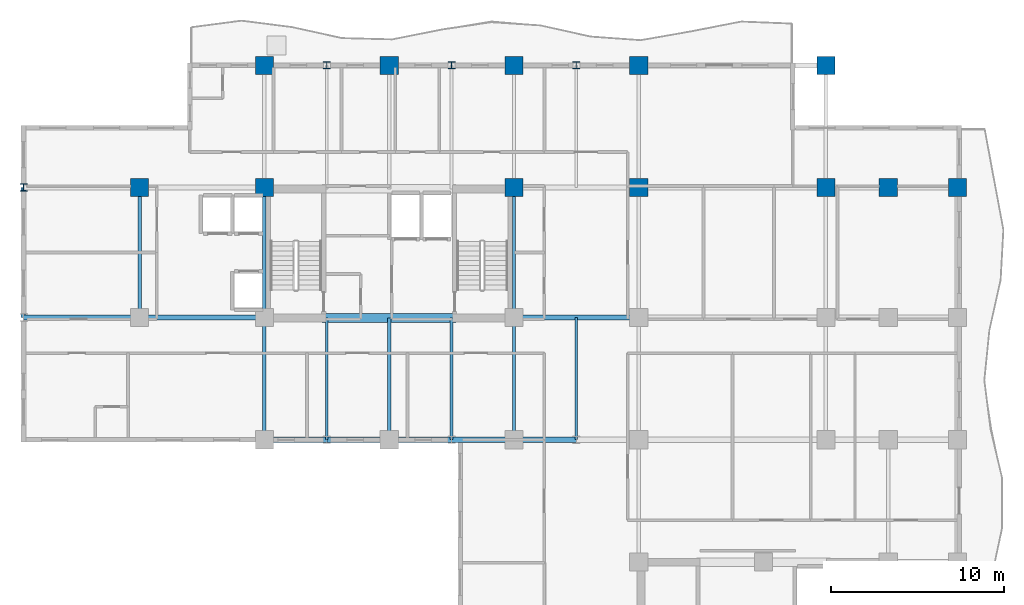
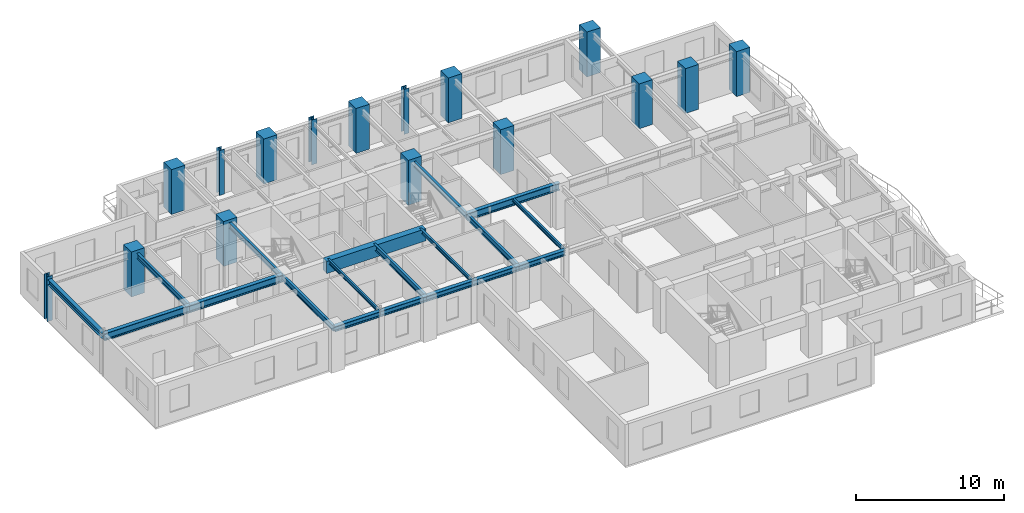
# One storey, part 2 of 13: 19 beams, 16 columns.
"""IFC4 building model written with IfcOpenShell, lengths in metres."""

from ifc_helpers import new_model, si_unit, direction, frame, origin, origin_2d, place, context, subcontext, project, spatial, rectangle, i_section, extrude, source, transform, mapped, material, material_profile, profile_set, type_object, element, save


model = new_model("IFC4")

# Units and contexts
model_context = context("Model", 3, precision=1e-05, world=origin(), true_north=direction((0.0, 1.0)))
body_context = subcontext(model_context, "Body", "Model", "MODEL_VIEW")
ifc_project = project(units=[si_unit("LENGTHUNIT", "METRE"), si_unit("AREAUNIT", "SQUARE_METRE"), si_unit("VOLUMEUNIT", "CUBIC_METRE"), si_unit("PLANEANGLEUNIT", "RADIAN"), si_unit("MASSUNIT", "GRAM", prefix="KILO")], contexts=[model_context])

# Site, building, storey
site_placement = place(None, origin())
site = spatial("IfcSite", under=ifc_project, at=site_placement, CompositionType="ELEMENT")
building_placement = place(site_placement, origin())
building = spatial("IfcBuilding", under=site, at=building_placement, Name="Kaliganga Portal Commons", CompositionType="ELEMENT")
storey_placement = place(building_placement, frame((0.0, 0.0, 177.199951171875)))
storey = spatial("IfcBuildingStorey", under=building, at=storey_placement, Name="L45", CompositionType="ELEMENT", Elevation=177.199951171875)

# Columns
ifc_material_1 = material(Name="Concrete C60/75", Category="concrete")
ifc_material_profile_1 = material_profile(ifc_material_1, rectangle(XDim=1.050048828125, YDim=1.050048828125, at=origin_2d()), Name="RC 1050x1050")
ifc_profile_set_1 = profile_set([ifc_material_profile_1], Name="Concrete C60/75")
column_type_1 = type_object("IfcColumnType", Name="COL-MEGA-Z3", PredefinedType="COLUMN", material=ifc_profile_set_1)
shared_shape_1 = source(origin(), body_context, "Body", "SweptSolid", [
    extrude(rectangle(XDim=1.050048828125, YDim=1.050048828125, at=origin_2d()), origin(), (0.0, 0.0, 1.0), 3.699951171875),
])
for number, where, z_axis, x_axis, name in (
    (1, (7.199951171875, 36.14990234375, 0.0), (0.0, 0.0, 1.0), (1.0, 0.0, 0.0), "Column MC-04 L45"),
    (2, (14.39990234375, 36.14990234375, 0.0), (0.0, 0.0, 1.0), (1.0, 0.0, 0.0), "Column MC-04 L45"),
    (3, (14.39990234375, 43.199951171875, 0.0), (0.0, 0.0, 1.0), (1.0, 0.0, 0.0), "Column MC-04 L45"),
    (4, (21.60009765625, 43.199951171875, 0.0), (0.0, 0.0, 1.0), (1.0, 0.0, 0.0), "Column MC-04 L45"),
    (5, (28.800048828125, 36.14990234375, 0.0), (0.0, 0.0, 1.0), (1.0, 0.0, 0.0), "Column MC-04 L45"),
    (6, (28.800048828125, 43.199951171875, 0.0), (0.0, 0.0, 1.0), (1.0, 0.0, 0.0), "Column MC-04 L45"),
    (7, (36.0, 43.199951171875, 0.0), (0.0, 0.0, 1.0), (1.0, 0.0, 0.0), "Column MC-04 L45"),
    (8, (36.0, 36.14990234375, 0.0), (0.0, 0.0, 1.0), (1.0, 0.0, 0.0), "Column MC-04 L45"),
    (9, (46.800048828125, 36.14990234375, 0.0), (0.0, 0.0, 1.0), (1.0, 0.0, 0.0), "Column MC-04 L45"),
    (10, (46.800048828125, 43.199951171875, 0.0), (0.0, 0.0, 1.0), (1.0, 0.0, 0.0), "Column MC-04 L45"),
    (11, (50.39990234375, 36.14990234375, 0.0), (0.0, 0.0, 1.0), (1.0, 0.0, 0.0), "Column MC-04 L45"),
    (12, (54.39990234375, 36.14990234375, 0.0), (0.0, 0.0, 1.0), (1.0, 0.0, 0.0), "Column MC-04 L45"),
):
    element("IfcColumn", number, at=place(storey_placement, frame(where, z_axis=z_axis, x_axis=x_axis)), inside=storey, type_object=column_type_1, Name=name, PredefinedType="COLUMN", context=body_context, shape_type="MappedRepresentation", body=[
        mapped(shared_shape_1, transform((0.0, 0.0, 0.0), x_axis=(1.0, 0.0, 0.0), y_axis=(0.0, 1.0, 0.0), z_axis=(0.0, 0.0, 1.0), scale=1.0)),
    ])
ifc_material_2 = material(Name="Structural steel S460M", Category="steel")
ifc_material_profile_2 = material_profile(ifc_material_2, i_section(OverallWidth=0.404052734375, OverallDepth=0.4140625, WebThickness=0.0205078125, FlangeThickness=0.028076171875, FilletRadius=0.014892578125, at=origin_2d()), Name="HD 400x347")
ifc_profile_set_2 = profile_set([ifc_material_profile_2], Name="Structural steel S460M wide-flange")
column_type_2 = type_object("IfcColumnType", Name="COL-TUBE-B3", PredefinedType="COLUMN", material=ifc_profile_set_2)
shared_shape_2 = source(origin(), body_context, "Body", "SweptSolid", [
    extrude(i_section(OverallWidth=0.404052734375, OverallDepth=0.4140625, WebThickness=0.0205078125, FlangeThickness=0.028076171875, FilletRadius=0.014892578125, at=origin_2d()), origin(), (0.0, 0.0, 1.0), 3.699951171875),
])
for number, where, z_axis, x_axis, name in (
    (13, (0.5, 36.14990234375, 0.0), (0.0, 0.0, 1.0), (1.0, 0.0, 0.0), "Column TC-03 L45"),
    (14, (18.0, 43.199951171875, 0.0), (0.0, 0.0, 1.0), (1.0, 0.0, 0.0), "Column TC-03 L45"),
    (15, (25.199951171875, 43.199951171875, 0.0), (0.0, 0.0, 1.0), (1.0, 0.0, 0.0), "Column TC-03 L45"),
    (16, (32.39990234375, 43.199951171875, 0.0), (0.0, 0.0, 1.0), (1.0, 0.0, 0.0), "Column TC-03 L45"),
):
    element("IfcColumn", number, at=place(storey_placement, frame(where, z_axis=z_axis, x_axis=x_axis)), inside=storey, type_object=column_type_2, Name=name, PredefinedType="COLUMN", context=body_context, shape_type="MappedRepresentation", body=[
        mapped(shared_shape_2, transform((0.0, 0.0, 0.0), x_axis=(1.0, 0.0, 0.0), y_axis=(0.0, 1.0, 0.0), z_axis=(0.0, 0.0, 1.0), scale=1.0)),
    ])

# Beams
ifc_material_3 = material(Name="Concrete C50/60", Category="concrete")
ifc_material_profile_3 = material_profile(ifc_material_3, rectangle(XDim=0.5, YDim=1.0, at=origin_2d()), Name="RC 500x1000")
ifc_profile_set_3 = profile_set([ifc_material_profile_3], Name="Concrete C50/60")
beam_type_1 = type_object("IfcBeamType", Name="BM-CPL-1000", PredefinedType="LINTEL", material=ifc_profile_set_3)
shared_shape_3 = source(origin(), body_context, "Body", "SweptSolid", [
    extrude(rectangle(XDim=0.5, YDim=1.0, at=origin_2d()), origin(), (0.0, 0.0, 1.0), 7.739990234375),
])
beam_1_placement = place(storey_placement, frame((17.72998046875, 28.625, 2.9599609375), z_axis=(1.0, 0.0, 0.0), x_axis=(0.0, 1.0, 0.0)))
element("IfcBeam", 17, at=beam_1_placement, inside=storey, type_object=beam_type_1, Name="BM CPL COREA L45 S", PredefinedType="LINTEL", context=body_context, shape_type="MappedRepresentation", body=[
    mapped(shared_shape_3, transform((0.0, 0.0, 0.0), x_axis=(1.0, 0.0, 0.0), y_axis=(0.0, 1.0, 0.0), z_axis=(0.0, 0.0, 1.0), scale=1.0)),
])
ifc_material_4 = material(Name="Structural steel S355J2", Category="steel")
ifc_material_profile_4 = material_profile(ifc_material_4, i_section(OverallWidth=0.300048828125, OverallDepth=0.449951171875, WebThickness=0.013916015625, FlangeThickness=0.02587890625, FilletRadius=0.027099609375, at=origin_2d()), Name="HE 450 B")
ifc_profile_set_4 = profile_set([ifc_material_profile_4], Name="Structural steel S355J2 wide-flange")
beam_type_2 = type_object("IfcBeamType", Name="BM-SPAND-450", PredefinedType="SPANDREL", material=ifc_profile_set_4)
shared_shape_4 = source(origin(), body_context, "Body", "SweptSolid", [
    extrude(i_section(OverallWidth=0.300048828125, OverallDepth=0.449951171875, WebThickness=0.013916015625, FlangeThickness=0.02587890625, FilletRadius=0.027099609375, at=origin_2d()), origin(), (0.0, 0.0, 1.0), 3.60009765625),
])
for number, where, z_axis, x_axis, name in (
    (18, (14.39990234375, 21.60009765625, 3.235107421875), (1.0, 0.0, 0.0), (0.0, 1.0, 0.0), "BM SP L45 AS 1"),
    (19, (18.0, 21.60009765625, 3.235107421875), (1.0, 0.0, 0.0), (0.0, 1.0, 0.0), "BM SP L45 AS 2"),
    (20, (25.199951171875, 21.60009765625, 3.235107421875), (1.0, 0.0, 0.0), (0.0, 1.0, 0.0), "BM SP L45 AS 4"),
):
    element("IfcBeam", number, at=place(storey_placement, frame(where, z_axis=z_axis, x_axis=x_axis)), inside=storey, type_object=beam_type_2, Name=name, PredefinedType="SPANDREL", context=body_context, shape_type="MappedRepresentation", body=[
        mapped(shared_shape_4, transform((0.0, 0.0, 0.0), x_axis=(1.0, 0.0, 0.0), y_axis=(0.0, 1.0, 0.0), z_axis=(0.0, 0.0, 1.0), scale=1.0)),
    ])
shared_shape_5 = source(origin(), body_context, "Body", "SweptSolid", [
    extrude(i_section(OverallWidth=0.300048828125, OverallDepth=0.449951171875, WebThickness=0.013916015625, FlangeThickness=0.02587890625, FilletRadius=0.027099609375, at=origin_2d()), origin(), (0.0, 0.0, 1.0), 3.599853515625),
])
for number, where, z_axis, x_axis, name in (
    (21, (21.60009765625, 21.60009765625, 3.235107421875), (1.0, 0.0, 0.0), (0.0, 1.0, 0.0), "BM SP L45 AS 3"),
    (22, (28.800048828125, 21.60009765625, 3.235107421875), (1.0, 0.0, 0.0), (0.0, 1.0, 0.0), "BM SP L45 AS 5"),
):
    element("IfcBeam", number, at=place(storey_placement, frame(where, z_axis=z_axis, x_axis=x_axis)), inside=storey, type_object=beam_type_2, Name=name, PredefinedType="SPANDREL", context=body_context, shape_type="MappedRepresentation", body=[
        mapped(shared_shape_5, transform((0.0, 0.0, 0.0), x_axis=(1.0, 0.0, 0.0), y_axis=(0.0, 1.0, 0.0), z_axis=(0.0, 0.0, 1.0), scale=1.0)),
    ])
shared_shape_6 = source(origin(), body_context, "Body", "SweptSolid", [
    extrude(i_section(OverallWidth=0.300048828125, OverallDepth=0.449951171875, WebThickness=0.013916015625, FlangeThickness=0.02587890625, FilletRadius=0.027099609375, at=origin_2d()), origin(), (0.0, 0.0, 1.0), 7.5),
])
beam_2_placement = place(storey_placement, frame((0.5, 28.64990234375, 3.235107421875), z_axis=(0.0, 1.0, 0.0), x_axis=(-1.0, 0.0, 0.0)))
element("IfcBeam", 23, at=beam_2_placement, inside=storey, type_object=beam_type_2, Name="BM SP L45 AW", PredefinedType="SPANDREL", context=body_context, shape_type="MappedRepresentation", body=[
    mapped(shared_shape_6, transform((0.0, 0.0, 0.0), x_axis=(1.0, 0.0, 0.0), y_axis=(0.0, 1.0, 0.0), z_axis=(0.0, 0.0, 1.0), scale=1.0)),
])
ifc_material_profile_5 = material_profile(ifc_material_4, i_section(OverallWidth=0.300048828125, OverallDepth=0.60009765625, WebThickness=0.015380859375, FlangeThickness=0.030029296875, FilletRadius=0.027099609375, at=origin_2d()), Name="HE 600 B")
ifc_profile_set_5 = profile_set([ifc_material_profile_5], Name="Structural steel S355J2 wide-flange")
beam_type_3 = type_object("IfcBeamType", Name="BM-GIRD-600", PredefinedType="USERDEFINED", material=ifc_profile_set_5)
shared_shape_7 = source(origin(), body_context, "Body", "SweptSolid", [
    extrude(i_section(OverallWidth=0.300048828125, OverallDepth=0.60009765625, WebThickness=0.015380859375, FlangeThickness=0.030029296875, FilletRadius=0.027099609375, at=origin_2d()), origin(), (0.0, 0.0, 1.0), 6.699951171875),
])
beam_3_placement = place(storey_placement, frame((0.5, 28.64990234375, 3.16015625), z_axis=(1.0, 0.0, 0.0), x_axis=(0.0, 1.0, 0.0)))
element("IfcBeam", 24, at=beam_3_placement, inside=storey, type_object=beam_type_3, Name="BM G L45 WAH_S 1", ObjectType="GIRDER", PredefinedType="USERDEFINED", context=body_context, shape_type="MappedRepresentation", body=[
    mapped(shared_shape_7, transform((0.0, 0.0, 0.0), x_axis=(1.0, 0.0, 0.0), y_axis=(0.0, 1.0, 0.0), z_axis=(0.0, 0.0, 1.0), scale=1.0)),
])
shared_shape_8 = source(origin(), body_context, "Body", "SweptSolid", [
    extrude(i_section(OverallWidth=0.300048828125, OverallDepth=0.60009765625, WebThickness=0.015380859375, FlangeThickness=0.030029296875, FilletRadius=0.027099609375, at=origin_2d()), origin(), (0.0, 0.0, 1.0), 7.199951171875),
])
for number, where, z_axis, x_axis, name in (
    (25, (7.199951171875, 28.64990234375, 3.16015625), (1.0, 0.0, 0.0), (0.0, 1.0, 0.0), "BM G L45 WAH_S 2"),
    (26, (28.800048828125, 28.64990234375, 3.16015625), (1.0, 0.0, 0.0), (0.0, 1.0, 0.0), "BM G L45 WAE_S 1"),
):
    element("IfcBeam", number, at=place(storey_placement, frame(where, z_axis=z_axis, x_axis=x_axis)), inside=storey, type_object=beam_type_3, Name=name, ObjectType="GIRDER", PredefinedType="USERDEFINED", context=body_context, shape_type="MappedRepresentation", body=[
        mapped(shared_shape_8, transform((0.0, 0.0, 0.0), x_axis=(1.0, 0.0, 0.0), y_axis=(0.0, 1.0, 0.0), z_axis=(0.0, 0.0, 1.0), scale=1.0)),
    ])
ifc_material_profile_6 = material_profile(ifc_material_4, i_section(OverallWidth=0.18994140625, OverallDepth=0.449951171875, WebThickness=0.009521484375, FlangeThickness=0.0146484375, FilletRadius=0.02099609375, at=origin_2d()), Name="IPE 450")
ifc_profile_set_6 = profile_set([ifc_material_profile_6], Name="Structural steel S355J2 wide-flange")
beam_type_4 = type_object("IfcBeamType", Name="BM-FLR-450", PredefinedType="BEAM", material=ifc_profile_set_6)
shared_shape_9 = source(origin(), body_context, "Body", "SweptSolid", [
    extrude(i_section(OverallWidth=0.18994140625, OverallDepth=0.449951171875, WebThickness=0.009521484375, FlangeThickness=0.0146484375, FilletRadius=0.02099609375, at=origin_2d()), origin(), (0.0, 0.0, 1.0), 7.5),
])
for number, where, z_axis, x_axis, name in (
    (27, (7.199951171875, 28.64990234375, 3.235107421875), (0.0, 1.0, 0.0), (-1.0, 0.0, 0.0), "BM G L45 AW72"),
    (28, (14.39990234375, 28.64990234375, 3.235107421875), (0.0, 1.0, 0.0), (-1.0, 0.0, 0.0), "BM G L45 AM144"),
    (29, (28.800048828125, 28.64990234375, 3.235107421875), (0.0, 1.0, 0.0), (-1.0, 0.0, 0.0), "BM G L45 AM288"),
):
    element("IfcBeam", number, at=place(storey_placement, frame(where, z_axis=z_axis, x_axis=x_axis)), inside=storey, type_object=beam_type_4, Name=name, PredefinedType="BEAM", context=body_context, shape_type="MappedRepresentation", body=[
        mapped(shared_shape_9, transform((0.0, 0.0, 0.0), x_axis=(1.0, 0.0, 0.0), y_axis=(0.0, 1.0, 0.0), z_axis=(0.0, 0.0, 1.0), scale=1.0)),
    ])
shared_shape_10 = source(origin(), body_context, "Body", "SweptSolid", [
    extrude(i_section(OverallWidth=0.18994140625, OverallDepth=0.449951171875, WebThickness=0.009521484375, FlangeThickness=0.0146484375, FilletRadius=0.02099609375, at=origin_2d()), origin(), (0.0, 0.0, 1.0), 7.0498046875),
])
for number, where, z_axis, x_axis, name in (
    (30, (14.39990234375, 21.60009765625, 3.235107421875), (0.0, 1.0, 0.0), (-1.0, 0.0, 0.0), "BM G L45 AS144"),
    (31, (28.800048828125, 21.60009765625, 3.235107421875), (0.0, 1.0, 0.0), (-1.0, 0.0, 0.0), "BM G L45 AS288"),
):
    element("IfcBeam", number, at=place(storey_placement, frame(where, z_axis=z_axis, x_axis=x_axis)), inside=storey, type_object=beam_type_4, Name=name, PredefinedType="BEAM", context=body_context, shape_type="MappedRepresentation", body=[
        mapped(shared_shape_10, transform((0.0, 0.0, 0.0), x_axis=(1.0, 0.0, 0.0), y_axis=(0.0, 1.0, 0.0), z_axis=(0.0, 0.0, 1.0), scale=1.0)),
    ])
ifc_material_profile_7 = material_profile(ifc_material_4, i_section(OverallWidth=0.14990234375, OverallDepth=0.300048828125, WebThickness=0.007080078125, FlangeThickness=0.0107421875, FilletRadius=0.014892578125, at=origin_2d()), Name="IPE 300")
ifc_profile_set_7 = profile_set([ifc_material_profile_7], Name="Structural steel S355J2 wide-flange")
beam_type_5 = type_object("IfcBeamType", Name="BM-JST-300", PredefinedType="JOIST", material=ifc_profile_set_7)
shared_shape_11 = source(origin(), body_context, "Body", "SweptSolid", [
    extrude(i_section(OverallWidth=0.14990234375, OverallDepth=0.300048828125, WebThickness=0.007080078125, FlangeThickness=0.0107421875, FilletRadius=0.014892578125, at=origin_2d()), origin(), (0.0, 0.0, 1.0), 7.02490234375),
])
for number, where, z_axis, x_axis, name in (
    (32, (18.0, 21.60009765625, 3.31005859375), (0.0, 1.0, 0.0), (-1.0, 0.0, 0.0), "BM G L45 AS180"),
    (33, (25.199951171875, 21.60009765625, 3.31005859375), (0.0, 1.0, 0.0), (-1.0, 0.0, 0.0), "BM G L45 AS252"),
):
    element("IfcBeam", number, at=place(storey_placement, frame(where, z_axis=z_axis, x_axis=x_axis)), inside=storey, type_object=beam_type_5, Name=name, PredefinedType="JOIST", context=body_context, shape_type="MappedRepresentation", body=[
        mapped(shared_shape_11, transform((0.0, 0.0, 0.0), x_axis=(1.0, 0.0, 0.0), y_axis=(0.0, 1.0, 0.0), z_axis=(0.0, 0.0, 1.0), scale=1.0)),
    ])
shared_shape_12 = source(origin(), body_context, "Body", "SweptSolid", [
    extrude(i_section(OverallWidth=0.18994140625, OverallDepth=0.449951171875, WebThickness=0.009521484375, FlangeThickness=0.0146484375, FilletRadius=0.02099609375, at=origin_2d()), origin(), (0.0, 0.0, 1.0), 7.02490234375),
])
beam_4_placement = place(storey_placement, frame((21.60009765625, 21.60009765625, 3.235107421875), z_axis=(0.0, 1.0, 0.0), x_axis=(-1.0, 0.0, 0.0)))
element("IfcBeam", 34, at=beam_4_placement, inside=storey, type_object=beam_type_4, Name="BM G L45 AS216", PredefinedType="BEAM", context=body_context, shape_type="MappedRepresentation", body=[
    mapped(shared_shape_12, transform((0.0, 0.0, 0.0), x_axis=(1.0, 0.0, 0.0), y_axis=(0.0, 1.0, 0.0), z_axis=(0.0, 0.0, 1.0), scale=1.0)),
])
shared_shape_13 = source(origin(), body_context, "Body", "SweptSolid", [
    extrude(i_section(OverallWidth=0.14990234375, OverallDepth=0.300048828125, WebThickness=0.007080078125, FlangeThickness=0.0107421875, FilletRadius=0.014892578125, at=origin_2d()), origin(), (0.0, 0.0, 1.0), 7.0498046875),
])
beam_5_placement = place(storey_placement, frame((32.39990234375, 21.60009765625, 3.31005859375), z_axis=(0.0, 1.0, 0.0), x_axis=(-1.0, 0.0, 0.0)))
element("IfcBeam", 35, at=beam_5_placement, inside=storey, type_object=beam_type_5, Name="BM G L45 AS324", PredefinedType="JOIST", context=body_context, shape_type="MappedRepresentation", body=[
    mapped(shared_shape_13, transform((0.0, 0.0, 0.0), x_axis=(1.0, 0.0, 0.0), y_axis=(0.0, 1.0, 0.0), z_axis=(0.0, 0.0, 1.0), scale=1.0)),
])

save(model, "model.ifc")
